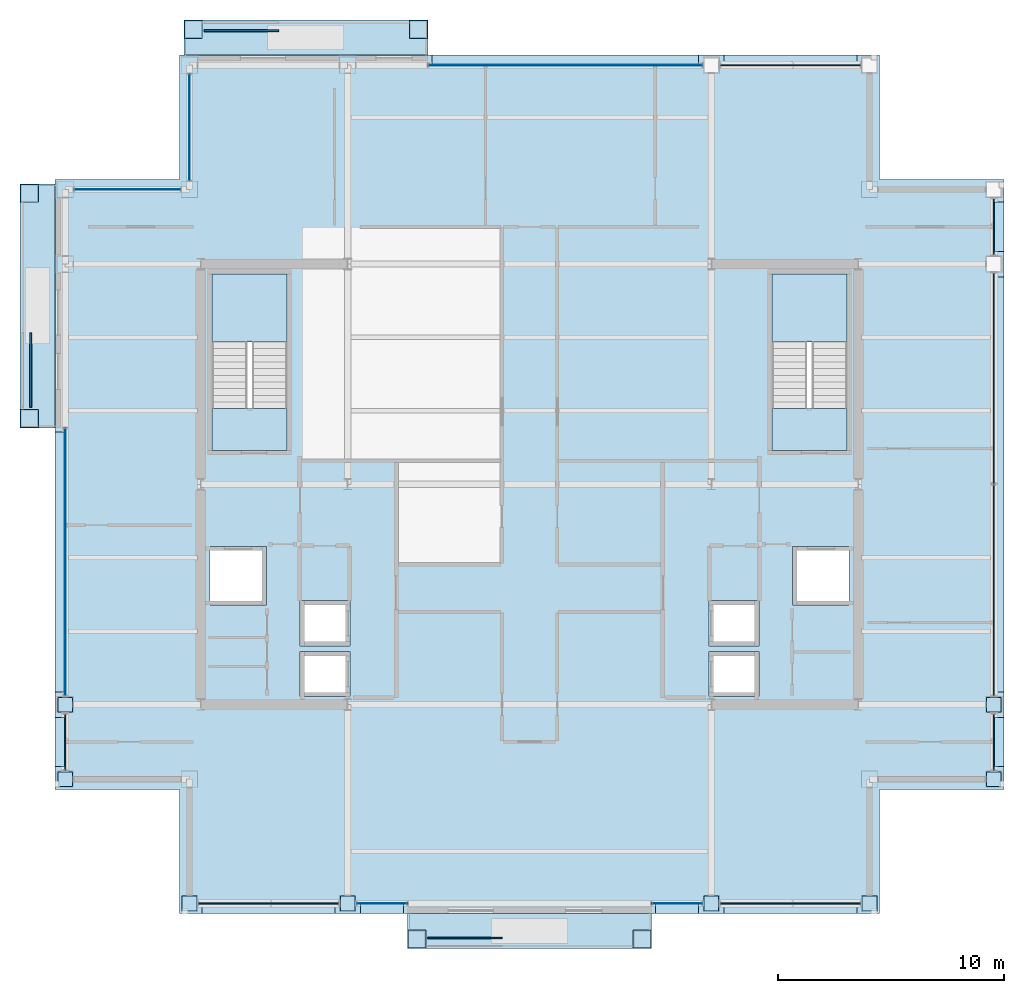
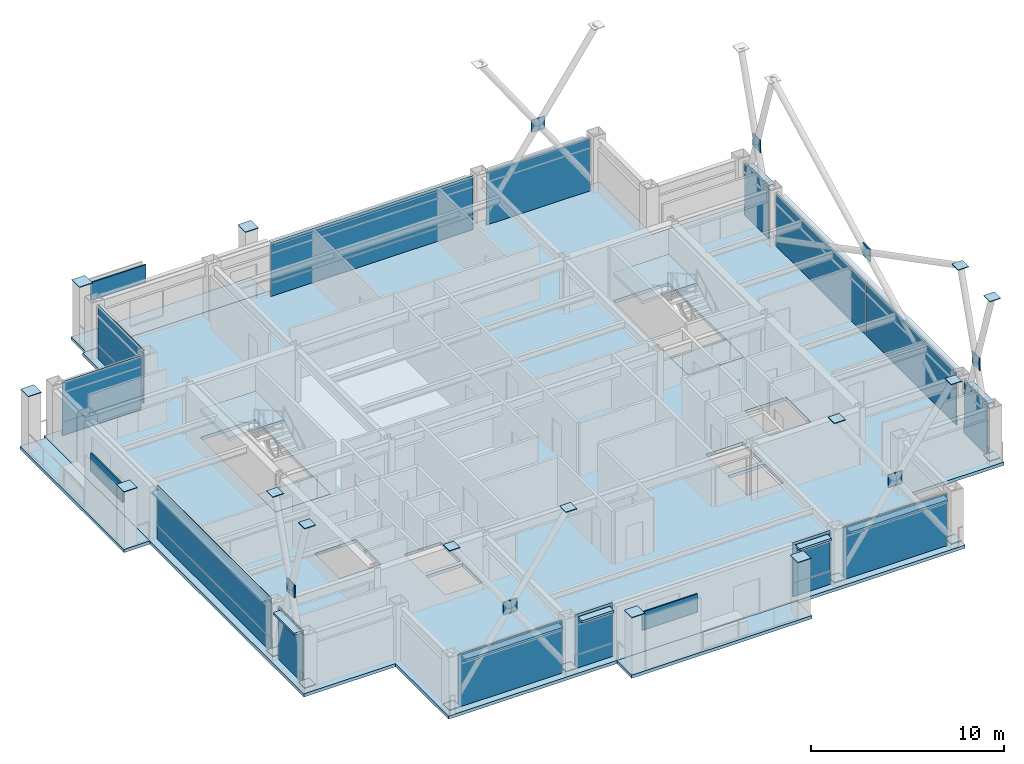
# One storey, part 24 of 30: 62 plates, 8 slabs, 15 elements without a shape of their own.
"""IFC4 building model written with IfcOpenShell, lengths in metres."""

from ifc_helpers import new_model, si_unit, direction, frame, origin, origin_2d, place, context, subcontext, project, spatial, polyline, rectangle, outline, extrude, material, layer, layer_set, type_object, element, aggregate, save


model = new_model("IFC4")

# Units and contexts
model_context = context("Model", 3, precision=1e-05, world=origin(), true_north=direction((0.0, 1.0)))
body_context = subcontext(model_context, "Body", "Model", "MODEL_VIEW")
ifc_project = project(units=[si_unit("LENGTHUNIT", "METRE"), si_unit("AREAUNIT", "SQUARE_METRE"), si_unit("VOLUMEUNIT", "CUBIC_METRE"), si_unit("PLANEANGLEUNIT", "RADIAN"), si_unit("MASSUNIT", "GRAM", prefix="KILO")], contexts=[model_context])

# Site, building, storey
site_placement = place(None, origin())
site = spatial("IfcSite", under=ifc_project, at=site_placement, CompositionType="ELEMENT")
building_placement = place(site_placement, origin())
building = spatial("IfcBuilding", under=site, at=building_placement, Name="Brelmoor Portico Tower", CompositionType="ELEMENT")
storey_placement = place(building_placement, frame((0.0, 0.0, 173.10009765625)))
storey = spatial("IfcBuildingStorey", under=building, at=storey_placement, Name="L45", CompositionType="ELEMENT", Elevation=173.10009765625)

# Plates
ifc_material_1 = material(Name="Steel Q355B", Category="steel")
ifc_layer_1 = layer(ifc_material_1, 0.044921875)
ifc_layer_set_1 = layer_set([ifc_layer_1], Name="Steel Q355B")
plate_type_1 = type_object("IfcPlateType", Name="PT-CAP-650", PredefinedType="SHEET", material=ifc_layer_set_1)
for number, where, z_axis, x_axis, name in (
    (1, (-4.97998046875, -20.1298828125, 3.599853515625), (0.0, 0.0, 1.0), (1.0, 0.0, 0.0), "L45 Proud Picture-Frame Pier PFJ-S1 Welded Head Cap Plate"),
    (2, (4.97998046875, -20.1298828125, 3.599853515625), (0.0, 0.0, 1.0), (1.0, 0.0, 0.0), "L45 Proud Picture-Frame Pier PFJ-S2 Welded Head Cap Plate"),
    (3, (-14.8798828125, 20.1298828125, 3.599853515625), (0.0, 0.0, 1.0), (1.0, 0.0, 0.0), "L45 Proud Picture-Frame Pier PFJ-N1 Welded Head Cap Plate"),
    (4, (-4.919921875, 20.1298828125, 3.599853515625), (0.0, 0.0, 1.0), (1.0, 0.0, 0.0), "L45 Proud Picture-Frame Pier PFJ-N2 Welded Head Cap Plate"),
    (5, (-22.1298828125, 2.919921875, 3.599853515625), (0.0, 0.0, 1.0), (0.0, 1.0, 0.0), "L45 Proud Picture-Frame Pier PFJ-W1 Welded Head Cap Plate"),
    (6, (-22.1298828125, 12.8798828125, 3.599853515625), (0.0, 0.0, 1.0), (0.0, 1.0, 0.0), "L45 Proud Picture-Frame Pier PFJ-W2 Welded Head Cap Plate"),
):
    element("IfcPlate", number, at=place(storey_placement, frame(where, z_axis=z_axis, x_axis=x_axis)), inside=storey, type_object=plate_type_1, Name=name, PredefinedType="SHEET", context=body_context, shape_type="SweptSolid", body=[
        extrude(rectangle(XDim=0.7900390625, YDim=0.7900390625, at=origin_2d()), origin(), (0.0, 0.0, 1.0), 0.0400390625),
    ])
for number, where, z_axis, x_axis, name in (
    (7, (-15.050048828125, -18.550048828125, 0.2275390625), (0.0, 0.0, 1.0), (1.0, 0.0, 0.0), "L45 Continuous Mega-X Brace 098A Joint Cap Plate 1"),
    (8, (-8.050048828125, -18.550048828125, 10.327392578125), (0.0, 0.0, 1.0), (1.0, 0.0, 0.0), "L45 Continuous Mega-X Brace 098A Joint Cap Plate 2"),
    (9, (-8.050048828125, -18.550048828125, 0.2275390625), (0.0, 0.0, 1.0), (1.0, 0.0, 0.0), "L45 Split Mega-X Brace 098B1 Joint Cap Plate 1"),
    (10, (-15.050048828125, -18.550048828125, 10.327392578125), (0.0, 0.0, 1.0), (1.0, 0.0, 0.0), "L45 Split Mega-X Brace 098B2 Joint Cap Plate 2"),
    (11, (8.050048828125, -18.550048828125, 0.2275390625), (0.0, 0.0, 1.0), (1.0, 0.0, 0.0), "L45 Continuous Mega-X Brace 099A Joint Cap Plate 1"),
    (12, (15.050048828125, -18.550048828125, 10.327392578125), (0.0, 0.0, 1.0), (1.0, 0.0, 0.0), "L45 Continuous Mega-X Brace 099A Joint Cap Plate 2"),
    (13, (15.050048828125, -18.550048828125, 0.2275390625), (0.0, 0.0, 1.0), (1.0, 0.0, 0.0), "L45 Split Mega-X Brace 099B1 Joint Cap Plate 1"),
    (14, (8.050048828125, -18.550048828125, 10.327392578125), (0.0, 0.0, 1.0), (1.0, 0.0, 0.0), "L45 Split Mega-X Brace 099B2 Joint Cap Plate 2"),
    (15, (-20.550048828125, -13.050048828125, 0.2275390625), (0.0, 0.0, 1.0), (1.0, 0.0, 0.0), "L45 Continuous Mega-X Brace 101A Joint Cap Plate 1"),
    (16, (-20.550048828125, -9.75, 10.327392578125), (0.0, 0.0, 1.0), (1.0, 0.0, 0.0), "L45 Continuous Mega-X Brace 101A Joint Cap Plate 2"),
    (17, (-20.550048828125, -9.75, 0.2275390625), (0.0, 0.0, 1.0), (1.0, 0.0, 0.0), "L45 Split Mega-X Brace 101B1 Joint Cap Plate 1"),
    (18, (-20.550048828125, -13.050048828125, 10.327392578125), (0.0, 0.0, 1.0), (1.0, 0.0, 0.0), "L45 Split Mega-X Brace 101B2 Joint Cap Plate 2"),
    (19, (20.550048828125, -13.050048828125, 0.2275390625), (0.0, 0.0, 1.0), (1.0, 0.0, 0.0), "L45 Continuous Mega-X Brace 102A Joint Cap Plate 1"),
    (20, (20.550048828125, -9.75, 10.327392578125), (0.0, 0.0, 1.0), (1.0, 0.0, 0.0), "L45 Continuous Mega-X Brace 102A Joint Cap Plate 2"),
    (21, (20.550048828125, -13.050048828125, 10.327392578125), (0.0, 0.0, 1.0), (1.0, 0.0, 0.0), "L45 Split Mega-X Brace 102B2 Joint Cap Plate 2"),
):
    element("IfcPlate", number, at=place(storey_placement, frame(where, z_axis=z_axis, x_axis=x_axis)), inside=storey, type_object=plate_type_1, Name=name, PredefinedType="SHEET", context=body_context, shape_type="SweptSolid", body=[
        extrude(rectangle(XDim=0.64990234375, YDim=0.64990234375, at=origin_2d()), origin(), (0.0, 0.0, 1.0), 0.044921875),
    ])

# Curtain wall, plate
ifc_material_2 = material(Name="Anodised Aluminium Alloy 6063-T6", Category="aluminium")
ifc_layer_2 = layer(ifc_material_2, 0.179931640625)
ifc_layer_set_2 = layer_set([ifc_layer_2], Name="Anodised Aluminium Alloy 6063-T6")
curtain_wall_type_1 = type_object("IfcCurtainWallType", Name="CW-TOWER-Z3", PredefinedType="NOTDEFINED", material=ifc_layer_set_2)
curtain_wall_1_placement = place(storey_placement, origin())
curtain_wall_1 = element("IfcCurtainWall", 22, at=curtain_wall_1_placement, inside=storey, type_object=curtain_wall_type_1, Name="L45 Curtain Wall CW-L45-1L-2", PredefinedType="NOTDEFINED")
ifc_material_3 = material(Name="Double-Silver Low-E Insulated Glazing", Category="glass")
ifc_layer_3 = layer(ifc_material_3, 0.035888671875)
ifc_layer_set_3 = layer_set([ifc_layer_3], Name="Double-Silver Low-E Insulated Glazing")
plate_type_2 = type_object("IfcPlateType", Name="PT-CW-GLASS", PredefinedType="CURTAIN_PANEL", material=ifc_layer_set_3)
plate_1_placement = place(storey_placement, frame((-6.532470703125, -18.550048828125, 0.85009765625), z_axis=(0.0, 0.0, 1.0), x_axis=(1.0, 0.0, 0.0)))
plate_1 = element("IfcPlate", 23, at=plate_1_placement, type_object=plate_type_2, Name="CW-L45-1L-2 Vision Glass Panel 00", PredefinedType="CURTAIN_PANEL", context=body_context, shape_type="SweptSolid", body=[
    extrude(rectangle(XDim=2.235107421875, YDim=0.035888671875, at=origin_2d()), origin(), (0.0, 0.0, 1.0), 2.550048828125),
])

curtain_wall_2_placement = place(storey_placement, origin())
curtain_wall_2 = element("IfcCurtainWall", 24, at=curtain_wall_2_placement, inside=storey, type_object=curtain_wall_type_1, Name="L45 Curtain Wall CW-L45-1R-1", PredefinedType="NOTDEFINED")
plate_2_placement = place(storey_placement, frame((6.532470703125, -18.550048828125, 0.85009765625), z_axis=(0.0, 0.0, 1.0), x_axis=(1.0, 0.0, 0.0)))
plate_2 = element("IfcPlate", 25, at=plate_2_placement, type_object=plate_type_2, Name="CW-L45-1R-1 Vision Glass Panel 00", PredefinedType="CURTAIN_PANEL", context=body_context, shape_type="SweptSolid", body=[
    extrude(rectangle(XDim=2.235107421875, YDim=0.035888671875, at=origin_2d()), origin(), (0.0, 0.0, 1.0), 2.550048828125),
])

curtain_wall_3_placement = place(storey_placement, origin())
curtain_wall_3 = element("IfcCurtainWall", 26, at=curtain_wall_3_placement, inside=storey, type_object=curtain_wall_type_1, Name="L45 Curtain Wall CW-L45-2R-1", PredefinedType="NOTDEFINED")
plate_3_placement = place(storey_placement, frame((1.58251953125, 18.550048828125, 0.85009765625), z_axis=(0.0, 0.0, 1.0), x_axis=(1.0, 0.0, 0.0)))
plate_3 = element("IfcPlate", 27, at=plate_3_placement, type_object=plate_type_2, Name="CW-L45-2R-1 Vision Glass Panel 00", PredefinedType="CURTAIN_PANEL", context=body_context, shape_type="SweptSolid", body=[
    extrude(rectangle(XDim=12.135009765625, YDim=0.035888671875, at=origin_2d()), origin(), (0.0, 0.0, 1.0), 2.550048828125),
])

curtain_wall_4_placement = place(storey_placement, origin())
curtain_wall_4 = element("IfcCurtainWall", 28, at=curtain_wall_4_placement, inside=storey, type_object=curtain_wall_type_1, Name="L45 Curtain Wall CW-L45-3L-2", PredefinedType="NOTDEFINED")
plate_4_placement = place(storey_placement, frame((-20.550048828125, -3.4326171875, 0.85009765625), z_axis=(0.0, 0.0, 1.0), x_axis=(0.0, 1.0, 0.0)))
plate_4 = element("IfcPlate", 29, at=plate_4_placement, type_object=plate_type_2, Name="CW-L45-3L-2 Vision Glass Panel 00", PredefinedType="CURTAIN_PANEL", context=body_context, shape_type="SweptSolid", body=[
    extrude(rectangle(XDim=11.8349609375, YDim=0.035888671875, at=origin_2d()), origin(), (0.0, 0.0, 1.0), 2.550048828125),
])

ifc_layer_4 = layer(ifc_material_2, 0.179931640625)
ifc_layer_set_4 = layer_set([ifc_layer_4], Name="Anodised Aluminium Alloy 6063-T6")
curtain_wall_type_2 = type_object("IfcCurtainWallType", Name="CW-NOTCH-CHAMFER", PredefinedType="NOTDEFINED", material=ifc_layer_set_4)
curtain_wall_5_placement = place(storey_placement, origin())
curtain_wall_5 = element("IfcCurtainWall", 30, at=curtain_wall_5_placement, inside=storey, type_object=curtain_wall_type_2, Name="L45 Curtain Wall CWN-L45-NWH", PredefinedType="NOTDEFINED")
plate_5_placement = place(storey_placement, frame((-17.800048828125, 13.050048828125, 0.85009765625), z_axis=(0.0, 0.0, 1.0), x_axis=(1.0, 0.0, 0.0)))
plate_5 = element("IfcPlate", 31, at=plate_5_placement, type_object=plate_type_2, Name="CWN-L45-NWH Vision Glass Panel 00", PredefinedType="CURTAIN_PANEL", context=body_context, shape_type="SweptSolid", body=[
    extrude(rectangle(XDim=4.699951171875, YDim=0.035888671875, at=origin_2d()), origin(), (0.0, 0.0, 1.0), 2.550048828125),
])

curtain_wall_6_placement = place(storey_placement, origin())
curtain_wall_6 = element("IfcCurtainWall", 32, at=curtain_wall_6_placement, inside=storey, type_object=curtain_wall_type_2, Name="L45 Curtain Wall CWN-L45-NWV", PredefinedType="NOTDEFINED")
plate_6_placement = place(storey_placement, frame((-15.050048828125, 15.800048828125, 0.85009765625), z_axis=(0.0, 0.0, 1.0), x_axis=(0.0, 1.0, 0.0)))
plate_6 = element("IfcPlate", 33, at=plate_6_placement, type_object=plate_type_2, Name="CWN-L45-NWV Vision Glass Panel 00", PredefinedType="CURTAIN_PANEL", context=body_context, shape_type="SweptSolid", body=[
    extrude(rectangle(XDim=4.699951171875, YDim=0.035888671875, at=origin_2d()), origin(), (0.0, 0.0, 1.0), 2.550048828125),
])

ifc_layer_5 = layer(ifc_material_2, 0.179931640625)
ifc_layer_set_5 = layer_set([ifc_layer_5], Name="Anodised Aluminium Alloy 6063-T6")
curtain_wall_type_3 = type_object("IfcCurtainWallType", Name="CW-TOWER-Z3-XB", PredefinedType="NOTDEFINED", material=ifc_layer_set_5)
curtain_wall_7_placement = place(storey_placement, origin())
curtain_wall_7 = element("IfcCurtainWall", 34, at=curtain_wall_7_placement, inside=storey, type_object=curtain_wall_type_3, Name="L45 Curtain Wall CW-L45-1L-1", PredefinedType="NOTDEFINED")
ifc_material_4 = material(Name="Pale Champagne Anodised Aluminium Panel", Category="aluminium")
ifc_layer_6 = layer(ifc_material_4, 0.050048828125)
ifc_layer_set_6 = layer_set([ifc_layer_6], Name="Pale Champagne Anodised Aluminium Panel")
plate_type_3 = type_object("IfcPlateType", Name="PT-CW-SPANDREL", PredefinedType="SHEET", material=ifc_layer_set_6)
plate_7_placement = place(storey_placement, frame((-11.550048828125, -18.550048828125, 0.0), z_axis=(0.0, 0.0, 1.0), x_axis=(1.0, 0.0, 0.0)))
plate_7 = element("IfcPlate", 35, at=plate_7_placement, type_object=plate_type_3, Name="CW-L45-1L-1 Spandrel Panel 00", PredefinedType="SHEET", context=body_context, shape_type="SweptSolid", body=[
    extrude(rectangle(XDim=6.199951171875, YDim=0.050048828125, at=origin_2d()), origin(), (0.0, 0.0, 1.0), 3.33740234375),
])
aggregate(curtain_wall_7, [plate_7])

# Plate
plate_8_placement = place(storey_placement, frame((-6.532470703125, -18.550048828125, -0.000244140625), z_axis=(0.0, 0.0, 1.0), x_axis=(1.0, 0.0, 0.0)))
plate_8 = element("IfcPlate", 36, at=plate_8_placement, type_object=plate_type_3, Name="CW-L45-1L-2 Spandrel Panel 00", PredefinedType="SHEET", context=body_context, shape_type="SweptSolid", body=[
    extrude(rectangle(XDim=2.235107421875, YDim=0.050048828125, at=origin_2d()), origin(), (0.0, 0.0, 1.0), 0.85009765625),
])

aggregate(curtain_wall_1, [plate_8, plate_1])

plate_9_placement = place(storey_placement, frame((6.532470703125, -18.550048828125, -0.000244140625), z_axis=(0.0, 0.0, 1.0), x_axis=(1.0, 0.0, 0.0)))
plate_9 = element("IfcPlate", 37, at=plate_9_placement, type_object=plate_type_3, Name="CW-L45-1R-1 Spandrel Panel 00", PredefinedType="SHEET", context=body_context, shape_type="SweptSolid", body=[
    extrude(rectangle(XDim=2.235107421875, YDim=0.050048828125, at=origin_2d()), origin(), (0.0, 0.0, 1.0), 0.85009765625),
])

aggregate(curtain_wall_2, [plate_9, plate_2])

# Curtain wall, plate
curtain_wall_8_placement = place(storey_placement, origin())
curtain_wall_8 = element("IfcCurtainWall", 38, at=curtain_wall_8_placement, inside=storey, type_object=curtain_wall_type_3, Name="L45 Curtain Wall CW-L45-1R-2", PredefinedType="NOTDEFINED")
plate_10_placement = place(storey_placement, frame((11.550048828125, -18.550048828125, 0.0), z_axis=(0.0, 0.0, 1.0), x_axis=(1.0, 0.0, 0.0)))
plate_10 = element("IfcPlate", 39, at=plate_10_placement, type_object=plate_type_3, Name="CW-L45-1R-2 Spandrel Panel 00", PredefinedType="SHEET", context=body_context, shape_type="SweptSolid", body=[
    extrude(rectangle(XDim=6.199951171875, YDim=0.050048828125, at=origin_2d()), origin(), (0.0, 0.0, 1.0), 3.33740234375),
])
aggregate(curtain_wall_8, [plate_10])

# Plate
plate_11_placement = place(storey_placement, frame((1.58251953125, 18.550048828125, -0.000244140625), z_axis=(0.0, 0.0, 1.0), x_axis=(1.0, 0.0, 0.0)))
plate_11 = element("IfcPlate", 40, at=plate_11_placement, type_object=plate_type_3, Name="CW-L45-2R-1 Spandrel Panel 00", PredefinedType="SHEET", context=body_context, shape_type="SweptSolid", body=[
    extrude(rectangle(XDim=12.135009765625, YDim=0.050048828125, at=origin_2d()), origin(), (0.0, 0.0, 1.0), 0.85009765625),
])

aggregate(curtain_wall_3, [plate_11, plate_3])

# Curtain wall, plate
curtain_wall_9_placement = place(storey_placement, origin())
curtain_wall_9 = element("IfcCurtainWall", 41, at=curtain_wall_9_placement, inside=storey, type_object=curtain_wall_type_3, Name="L45 Curtain Wall CW-L45-2R-2", PredefinedType="NOTDEFINED")
plate_12_placement = place(storey_placement, frame((11.550048828125, 18.550048828125, 0.0), z_axis=(0.0, 0.0, 1.0), x_axis=(1.0, 0.0, 0.0)))
plate_12 = element("IfcPlate", 42, at=plate_12_placement, type_object=plate_type_3, Name="CW-L45-2R-2 Spandrel Panel 00", PredefinedType="SHEET", context=body_context, shape_type="SweptSolid", body=[
    extrude(rectangle(XDim=6.199951171875, YDim=0.050048828125, at=origin_2d()), origin(), (0.0, 0.0, 1.0), 3.33740234375),
])
aggregate(curtain_wall_9, [plate_12])

curtain_wall_10_placement = place(storey_placement, origin())
curtain_wall_10 = element("IfcCurtainWall", 43, at=curtain_wall_10_placement, inside=storey, type_object=curtain_wall_type_3, Name="L45 Curtain Wall CW-L45-3L-1", PredefinedType="NOTDEFINED")
plate_13_placement = place(storey_placement, frame((-20.550048828125, -11.39990234375, 0.0), z_axis=(0.0, 0.0, 1.0), x_axis=(0.0, 1.0, 0.0)))
plate_13 = element("IfcPlate", 44, at=plate_13_placement, type_object=plate_type_3, Name="CW-L45-3L-1 Spandrel Panel 00", PredefinedType="SHEET", context=body_context, shape_type="SweptSolid", body=[
    extrude(rectangle(XDim=2.5, YDim=0.050048828125, at=origin_2d()), origin(), (0.0, 0.0, 1.0), 3.33740234375),
])
aggregate(curtain_wall_10, [plate_13])

# Plate
plate_14_placement = place(storey_placement, frame((-20.550048828125, -3.4326171875, -0.000244140625), z_axis=(0.0, 0.0, 1.0), x_axis=(0.0, 1.0, 0.0)))
plate_14 = element("IfcPlate", 45, at=plate_14_placement, type_object=plate_type_3, Name="CW-L45-3L-2 Spandrel Panel 00", PredefinedType="SHEET", context=body_context, shape_type="SweptSolid", body=[
    extrude(rectangle(XDim=11.8349609375, YDim=0.050048828125, at=origin_2d()), origin(), (0.0, 0.0, 1.0), 0.85009765625),
])

aggregate(curtain_wall_4, [plate_14, plate_4])

# Curtain wall, plate
curtain_wall_11_placement = place(storey_placement, origin())
curtain_wall_11 = element("IfcCurtainWall", 46, at=curtain_wall_11_placement, inside=storey, type_object=curtain_wall_type_3, Name="L45 Curtain Wall CW-L45-04-1", PredefinedType="NOTDEFINED")
plate_15_placement = place(storey_placement, frame((20.550048828125, -11.39990234375, 0.0), z_axis=(0.0, 0.0, 1.0), x_axis=(0.0, 1.0, 0.0)))
plate_15 = element("IfcPlate", 47, at=plate_15_placement, type_object=plate_type_3, Name="CW-L45-04-1 Spandrel Panel 00", PredefinedType="SHEET", context=body_context, shape_type="SweptSolid", body=[
    extrude(rectangle(XDim=2.5, YDim=0.050048828125, at=origin_2d()), origin(), (0.0, 0.0, 1.0), 3.33740234375),
])
aggregate(curtain_wall_11, [plate_15])

# Curtain wall, plates
curtain_wall_12_placement = place(storey_placement, origin())
curtain_wall_12 = element("IfcCurtainWall", 48, at=curtain_wall_12_placement, inside=storey, type_object=curtain_wall_type_3, Name="L45 Curtain Wall CW-L45-04-2", PredefinedType="NOTDEFINED")
plate_16_placement = place(storey_placement, frame((20.550048828125, -4.6826171875, 0.0), z_axis=(0.0, 0.0, 1.0), x_axis=(0.0, 1.0, 0.0)))
plate_16 = element("IfcPlate", 49, at=plate_16_placement, type_object=plate_type_3, Name="CW-L45-04-2 Spandrel Panel 00", PredefinedType="SHEET", context=body_context, shape_type="SweptSolid", body=[
    extrude(rectangle(XDim=9.3349609375, YDim=0.050048828125, at=origin_2d()), origin(), (0.0, 0.0, 1.0), 3.33740234375),
])
plate_17_placement = place(storey_placement, frame((20.550048828125, 4.6826171875, 0.0), z_axis=(0.0, 0.0, 1.0), x_axis=(0.0, 1.0, 0.0)))
plate_17 = element("IfcPlate", 50, at=plate_17_placement, type_object=plate_type_3, Name="CW-L45-04-2 Spandrel Panel 01", PredefinedType="SHEET", context=body_context, shape_type="SweptSolid", body=[
    extrude(rectangle(XDim=9.3349609375, YDim=0.050048828125, at=origin_2d()), origin(), (0.0, 0.0, 1.0), 3.33740234375),
])
aggregate(curtain_wall_12, [plate_16, plate_17])

# Curtain wall, plate
curtain_wall_13_placement = place(storey_placement, origin())
curtain_wall_13 = element("IfcCurtainWall", 51, at=curtain_wall_13_placement, inside=storey, type_object=curtain_wall_type_3, Name="L45 Curtain Wall CW-L45-04-3", PredefinedType="NOTDEFINED")
plate_18_placement = place(storey_placement, frame((20.550048828125, 11.39990234375, 0.0), z_axis=(0.0, 0.0, 1.0), x_axis=(0.0, 1.0, 0.0)))
plate_18 = element("IfcPlate", 52, at=plate_18_placement, type_object=plate_type_3, Name="CW-L45-04-3 Spandrel Panel 00", PredefinedType="SHEET", context=body_context, shape_type="SweptSolid", body=[
    extrude(rectangle(XDim=2.5, YDim=0.050048828125, at=origin_2d()), origin(), (0.0, 0.0, 1.0), 3.33740234375),
])
aggregate(curtain_wall_13, [plate_18])

# Plate
plate_19_placement = place(storey_placement, frame((-17.800048828125, 13.050048828125, -0.000244140625), z_axis=(0.0, 0.0, 1.0), x_axis=(1.0, 0.0, 0.0)))
plate_19 = element("IfcPlate", 53, at=plate_19_placement, type_object=plate_type_3, Name="CWN-L45-NWH Spandrel Panel 00", PredefinedType="SHEET", context=body_context, shape_type="SweptSolid", body=[
    extrude(rectangle(XDim=4.699951171875, YDim=0.050048828125, at=origin_2d()), origin(), (0.0, 0.0, 1.0), 0.85009765625),
])

aggregate(curtain_wall_5, [plate_19, plate_5])

plate_20_placement = place(storey_placement, frame((-15.050048828125, 15.800048828125, -0.000244140625), z_axis=(0.0, 0.0, 1.0), x_axis=(0.0, 1.0, 0.0)))
plate_20 = element("IfcPlate", 54, at=plate_20_placement, type_object=plate_type_3, Name="CWN-L45-NWV Spandrel Panel 00", PredefinedType="SHEET", context=body_context, shape_type="SweptSolid", body=[
    extrude(rectangle(XDim=4.699951171875, YDim=0.050048828125, at=origin_2d()), origin(), (0.0, 0.0, 1.0), 0.85009765625),
])

aggregate(curtain_wall_6, [plate_20, plate_6])

# Plates
ifc_layer_7 = layer(ifc_material_1, 0.050048828125)
ifc_layer_set_7 = layer_set([ifc_layer_7], Name="Steel Q355B")
plate_type_4 = type_object("IfcPlateType", Name="PT-GUSSET-800", PredefinedType="USERDEFINED", material=ifc_layer_set_7)
for number, where, z_axis, x_axis, name in (
    (55, (-11.550048828125, -18.550048828125, 4.89990234375), (0.0, 0.0, 1.0), (1.0, 0.0, 0.0), "L45 Perimeter Mega-Brace Gusset 098"),
    (56, (11.550048828125, -18.550048828125, 4.89990234375), (0.0, 0.0, 1.0), (1.0, 0.0, 0.0), "L45 Perimeter Mega-Brace Gusset 099"),
    (57, (11.550048828125, 18.550048828125, 4.89990234375), (0.0, 0.0, 1.0), (1.0, 0.0, 0.0), "L45 Perimeter Mega-Brace Gusset 100"),
):
    element("IfcPlate", number, at=place(storey_placement, frame(where, z_axis=z_axis, x_axis=x_axis)), inside=storey, type_object=plate_type_4, Name=name, ObjectType="GUSSET PLATE", PredefinedType="USERDEFINED", context=body_context, shape_type="SweptSolid", body=[
        extrude(rectangle(XDim=0.800048828125, YDim=0.050048828125, at=origin_2d()), origin(), (0.0, 0.0, 1.0), 0.800048828125),
    ])
for number, where, z_axis, x_axis, name in (
    (58, (-20.550048828125, -11.39990234375, 4.89990234375), (0.0, 0.0, 1.0), (1.0, 0.0, 0.0), "L45 Perimeter Mega-Brace Gusset 101"),
    (59, (20.550048828125, -11.39990234375, 4.89990234375), (0.0, 0.0, 1.0), (1.0, 0.0, 0.0), "L45 Perimeter Mega-Brace Gusset 102"),
    (60, (20.550048828125, 0.0, 4.89990234375), (0.0, 0.0, 1.0), (1.0, 0.0, 0.0), "L45 Perimeter Mega-Brace Gusset 103"),
    (61, (20.550048828125, 11.39990234375, 4.89990234375), (0.0, 0.0, 1.0), (1.0, 0.0, 0.0), "L45 Perimeter Mega-Brace Gusset 104"),
):
    element("IfcPlate", number, at=place(storey_placement, frame(where, z_axis=z_axis, x_axis=x_axis)), inside=storey, type_object=plate_type_4, Name=name, ObjectType="GUSSET PLATE", PredefinedType="USERDEFINED", context=body_context, shape_type="SweptSolid", body=[
        extrude(rectangle(XDim=0.050048828125, YDim=0.800048828125, at=origin_2d()), origin(), (0.0, 0.0, 1.0), 0.800048828125),
    ])
ifc_material_5 = material(Name="Powder-Coated Aluminium Shuttered Jalousie Louvre", Category="aluminium")
ifc_layer_8 = layer(ifc_material_5, 0.06005859375)
ifc_layer_set_8 = layer_set([ifc_layer_8], Name="Powder-Coated Aluminium Shuttered Jalousie Louvre")
plate_type_5 = type_object("IfcPlateType", Name="PT-JALOUSIE-SHUTTER", PredefinedType="SHEET", material=ifc_layer_set_8)
for number, where, z_axis, x_axis, name in (
    (62, (-2.85009765625, -20.080078125, 2.27490234375), (0.0, 0.0, 1.0), (1.0, 0.0, 0.0), "L45 Shuttered Veranda Screen S"),
    (63, (-12.75, 20.080078125, 2.27490234375), (0.0, 0.0, 1.0), (1.0, 0.0, 0.0), "L45 Shuttered Veranda Screen N"),
    (64, (-22.080078125, 5.050048828125, 2.27490234375), (0.0, 0.0, 1.0), (0.0, 1.0, 0.0), "L45 Shuttered Veranda Screen W"),
):
    element("IfcPlate", number, at=place(storey_placement, frame(where, z_axis=z_axis, x_axis=x_axis)), inside=storey, type_object=plate_type_5, Name=name, PredefinedType="SHEET", context=body_context, shape_type="SweptSolid", body=[
        extrude(rectangle(XDim=3.300048828125, YDim=0.080078125, at=origin_2d()), origin(), (0.0, 0.0, 1.0), 1.14990234375),
    ])
ifc_material_6 = material(Name="Pale Champagne Perforated Aluminium Solar Screen", Category="aluminium")
ifc_layer_9 = layer(ifc_material_6, 0.054931640625)
ifc_layer_set_9 = layer_set([ifc_layer_9], Name="Pale Champagne Perforated Aluminium Solar Screen")
plate_type_6 = type_object("IfcPlateType", Name="PT-SOLAR-LOUVRE", PredefinedType="SHEET", material=ifc_layer_set_9)
plate_21_placement = place(storey_placement, frame((-11.550048828125, -18.760009765625, 3.08984375), z_axis=(0.0, 0.0, 1.0), x_axis=(1.0, 0.0, 0.0)))
element("IfcPlate", 65, at=plate_21_placement, inside=storey, type_object=plate_type_6, Name="CW-L45-1L-1 Caribbean Brise-Soleil Solar Screen", PredefinedType="SHEET", context=body_context, shape_type="SweptSolid", body=[
    extrude(rectangle(XDim=5.8701171875, YDim=0.4599609375, at=origin_2d()), origin(), (0.0, 0.0, 1.0), 0.139892578125),
])
for number, where, z_axis, x_axis, name in (
    (66, (-6.532470703125, -18.760009765625, 3.08984375), (0.0, 0.0, 1.0), (1.0, 0.0, 0.0), "CW-L45-1L-2 Caribbean Brise-Soleil Solar Screen"),
    (67, (6.532470703125, -18.760009765625, 3.08984375), (0.0, 0.0, 1.0), (1.0, 0.0, 0.0), "CW-L45-1R-1 Caribbean Brise-Soleil Solar Screen"),
):
    element("IfcPlate", number, at=place(storey_placement, frame(where, z_axis=z_axis, x_axis=x_axis)), inside=storey, type_object=plate_type_6, Name=name, PredefinedType="SHEET", context=body_context, shape_type="SweptSolid", body=[
        extrude(rectangle(XDim=1.905029296875, YDim=0.4599609375, at=origin_2d()), origin(), (0.0, 0.0, 1.0), 0.139892578125),
    ])
plate_22_placement = place(storey_placement, frame((11.550048828125, -18.760009765625, 3.08984375), z_axis=(0.0, 0.0, 1.0), x_axis=(1.0, 0.0, 0.0)))
element("IfcPlate", 68, at=plate_22_placement, inside=storey, type_object=plate_type_6, Name="CW-L45-1R-2 Caribbean Brise-Soleil Solar Screen", PredefinedType="SHEET", context=body_context, shape_type="SweptSolid", body=[
    extrude(rectangle(XDim=5.8701171875, YDim=0.4599609375, at=origin_2d()), origin(), (0.0, 0.0, 1.0), 0.139892578125),
])
plate_23_placement = place(storey_placement, frame((1.58251953125, 18.760009765625, 3.08984375), z_axis=(0.0, 0.0, 1.0), x_axis=(1.0, 0.0, 0.0)))
element("IfcPlate", 69, at=plate_23_placement, inside=storey, type_object=plate_type_6, Name="CW-L45-2R-1 Caribbean Brise-Soleil Solar Screen", PredefinedType="SHEET", context=body_context, shape_type="SweptSolid", body=[
    extrude(rectangle(XDim=11.804931640625, YDim=0.4599609375, at=origin_2d()), origin(), (0.0, 0.0, 1.0), 0.139892578125),
])
plate_24_placement = place(storey_placement, frame((11.550048828125, 18.760009765625, 3.08984375), z_axis=(0.0, 0.0, 1.0), x_axis=(1.0, 0.0, 0.0)))
element("IfcPlate", 70, at=plate_24_placement, inside=storey, type_object=plate_type_6, Name="CW-L45-2R-2 Caribbean Brise-Soleil Solar Screen", PredefinedType="SHEET", context=body_context, shape_type="SweptSolid", body=[
    extrude(rectangle(XDim=5.8701171875, YDim=0.4599609375, at=origin_2d()), origin(), (0.0, 0.0, 1.0), 0.139892578125),
])
plate_25_placement = place(storey_placement, frame((-20.760009765625, -11.39990234375, 3.08984375), z_axis=(0.0, 0.0, 1.0), x_axis=(0.0, 1.0, 0.0)))
element("IfcPlate", 71, at=plate_25_placement, inside=storey, type_object=plate_type_6, Name="CW-L45-3L-1 Caribbean Brise-Soleil Solar Screen", PredefinedType="SHEET", context=body_context, shape_type="SweptSolid", body=[
    extrude(rectangle(XDim=2.169921875, YDim=0.4599609375, at=origin_2d()), origin(), (0.0, 0.0, 1.0), 0.139892578125),
])
plate_26_placement = place(storey_placement, frame((-20.760009765625, -3.4326171875, 3.08984375), z_axis=(0.0, 0.0, 1.0), x_axis=(0.0, 1.0, 0.0)))
element("IfcPlate", 72, at=plate_26_placement, inside=storey, type_object=plate_type_6, Name="CW-L45-3L-2 Caribbean Brise-Soleil Solar Screen", PredefinedType="SHEET", context=body_context, shape_type="SweptSolid", body=[
    extrude(rectangle(XDim=11.5048828125, YDim=0.4599609375, at=origin_2d()), origin(), (0.0, 0.0, 1.0), 0.139892578125),
])
plate_27_placement = place(storey_placement, frame((20.760009765625, -11.39990234375, 3.08984375), z_axis=(0.0, 0.0, 1.0), x_axis=(0.0, 1.0, 0.0)))
element("IfcPlate", 73, at=plate_27_placement, inside=storey, type_object=plate_type_6, Name="CW-L45-04-1 Caribbean Brise-Soleil Solar Screen", PredefinedType="SHEET", context=body_context, shape_type="SweptSolid", body=[
    extrude(rectangle(XDim=2.169921875, YDim=0.4599609375, at=origin_2d()), origin(), (0.0, 0.0, 1.0), 0.139892578125),
])
plate_28_placement = place(storey_placement, frame((20.760009765625, 0.0, 3.08984375), z_axis=(0.0, 0.0, 1.0), x_axis=(0.0, 1.0, 0.0)))
element("IfcPlate", 74, at=plate_28_placement, inside=storey, type_object=plate_type_6, Name="CW-L45-04-2 Caribbean Brise-Soleil Solar Screen", PredefinedType="SHEET", context=body_context, shape_type="SweptSolid", body=[
    extrude(rectangle(XDim=18.3701171875, YDim=0.4599609375, at=origin_2d()), origin(), (0.0, 0.0, 1.0), 0.139892578125),
])
plate_29_placement = place(storey_placement, frame((20.760009765625, 11.39990234375, 3.08984375), z_axis=(0.0, 0.0, 1.0), x_axis=(0.0, 1.0, 0.0)))
element("IfcPlate", 75, at=plate_29_placement, inside=storey, type_object=plate_type_6, Name="CW-L45-04-3 Caribbean Brise-Soleil Solar Screen", PredefinedType="SHEET", context=body_context, shape_type="SweptSolid", body=[
    extrude(rectangle(XDim=2.169921875, YDim=0.4599609375, at=origin_2d()), origin(), (0.0, 0.0, 1.0), 0.139892578125),
])

# Slabs
ifc_material_7 = material(Name="Concrete C40", Category="concrete")
ifc_layer_10 = layer(ifc_material_7, 0.199951171875)
ifc_layer_set_10 = layer_set([ifc_layer_10], Name="Concrete C40")
slab_type_1 = type_object("IfcSlabType", Name="SL-BALCONY-200", PredefinedType="FLOOR", material=ifc_layer_set_10)
slab_1_placement = place(storey_placement, frame((0.0, 0.0, -0.2001953125)))
element("IfcSlab", 76, at=slab_1_placement, inside=storey, type_object=slab_type_1, Name="L45 Loggia Tree Balcony Slab S", PredefinedType="FLOOR", context=body_context, shape_type="SweptSolid", body=[
    extrude(outline(polyline([(-5.39990234375, -20.550048828125), (5.39990234375, -20.550048828125), (5.39990234375, -19.0), (-5.39990234375, -19.0), (-5.39990234375, -20.550048828125)])), origin(), (0.0, 0.0, 1.0), 0.2001953125),
])
slab_2_placement = place(storey_placement, frame((0.0, 0.0, -0.2001953125)))
element("IfcSlab", 77, at=slab_2_placement, inside=storey, type_object=slab_type_1, Name="L45 Loggia Tree Balcony Slab N", PredefinedType="FLOOR", context=body_context, shape_type="SweptSolid", body=[
    extrude(outline(polyline([(-15.300048828125, 19.0), (-4.5, 19.0), (-4.5, 20.550048828125), (-15.300048828125, 20.550048828125), (-15.300048828125, 19.0)])), origin(), (0.0, 0.0, 1.0), 0.2001953125),
])
slab_3_placement = place(storey_placement, frame((0.0, 0.0, -0.2001953125)))
element("IfcSlab", 78, at=slab_3_placement, inside=storey, type_object=slab_type_1, Name="L45 Loggia Tree Balcony Slab W", PredefinedType="FLOOR", context=body_context, shape_type="SweptSolid", body=[
    extrude(outline(polyline([(-22.550048828125, 2.5), (-21.0, 2.5), (-21.0, 13.300048828125), (-22.550048828125, 13.300048828125), (-22.550048828125, 2.5)])), origin(), (0.0, 0.0, 1.0), 0.2001953125),
])
ifc_layer_11 = layer(ifc_material_7, 0.199951171875)
ifc_layer_set_11 = layer_set([ifc_layer_11], Name="Concrete C40")
slab_type_2 = type_object("IfcSlabType", Name="SL-FLOOR-200", PredefinedType="FLOOR", material=ifc_layer_set_11)
slab_4_placement = place(storey_placement, frame((0.0, 0.0, -0.2001953125)))
element("IfcSlab", 79, at=slab_4_placement, inside=storey, type_object=slab_type_2, Name="L45 Main Structural Floor Slab", PredefinedType="FLOOR", context=body_context, shape_type="SweptSolid", body=[
    extrude(outline(polyline([(-15.5, -19.0), (15.5, -19.0), (15.5, -13.5), (21.0, -13.5), (21.0, 13.5), (15.5, 13.5), (15.5, 19.0), (-15.5, 19.0), (-15.5, 13.5), (-21.0, 13.5), (-21.0, -13.5), (-15.5, -13.5), (-15.5, -19.0)]), holes=[polyline([(-10.72998046875, 1.5), (-10.72998046875, 9.300048828125), (-14.050048828125, 9.300048828125), (-14.050048828125, 1.5), (-10.72998046875, 1.5)]), polyline([(14.050048828125, 1.5), (14.050048828125, 9.300048828125), (10.72998046875, 9.300048828125), (10.72998046875, 1.5), (14.050048828125, 1.5)]), polyline([(-10.14990234375, -9.39990234375), (-7.949951171875, -9.39990234375), (-7.949951171875, -7.39990234375), (-10.14990234375, -7.39990234375), (-10.14990234375, -9.39990234375)]), polyline([(-10.14990234375, -7.14990234375), (-7.949951171875, -7.14990234375), (-7.949951171875, -5.14990234375), (-10.14990234375, -5.14990234375), (-10.14990234375, -7.14990234375)]), polyline([(7.949951171875, -9.39990234375), (10.14990234375, -9.39990234375), (10.14990234375, -7.39990234375), (7.949951171875, -7.39990234375), (7.949951171875, -9.39990234375)]), polyline([(7.949951171875, -7.14990234375), (10.14990234375, -7.14990234375), (10.14990234375, -5.14990234375), (7.949951171875, -5.14990234375), (7.949951171875, -7.14990234375)]), polyline([(-14.14990234375, -5.35009765625), (-11.64990234375, -5.35009765625), (-11.64990234375, -2.75), (-14.14990234375, -2.75), (-14.14990234375, -5.35009765625)]), polyline([(11.64990234375, -5.35009765625), (14.14990234375, -5.35009765625), (14.14990234375, -2.75), (11.64990234375, -2.75), (11.64990234375, -5.35009765625)])]), origin(), (0.0, 0.0, 1.0), 0.2001953125),
])

# Stair, slab
stair_type_1 = type_object("IfcStairType", Name="ST-CORE-W", PredefinedType="HALF_TURN_STAIR", material=ifc_material_7)
stair_1_placement = place(storey_placement, origin())
stair_1 = element("IfcStair", 80, at=stair_1_placement, inside=storey, type_object=stair_type_1, Name="L45 Protected Core Exit Stair ST-W", PredefinedType="HALF_TURN_STAIR")
ifc_layer_12 = layer(ifc_material_7, 0.179931640625)
ifc_layer_set_12 = layer_set([ifc_layer_12], Name="Concrete C40")
slab_type_3 = type_object("IfcSlabType", Name="SL-LANDING-180", PredefinedType="LANDING", material=ifc_layer_set_12)
slab_5_placement = place(storey_placement, frame((0.0, 0.0, 1.599853515625)))
slab_5 = element("IfcSlab", 81, at=slab_5_placement, type_object=slab_type_3, Name="ST-W landing 1", PredefinedType="LANDING", context=body_context, shape_type="SweptSolid", body=[
    extrude(outline(polyline([(-10.72998046875, 6.300048828125), (-10.72998046875, 9.300048828125), (-14.050048828125, 9.300048828125), (-14.050048828125, 6.300048828125), (-10.72998046875, 6.300048828125)])), origin(), (0.0, 0.0, 1.0), 0.199951171875),
])
aggregate(stair_1, [slab_5])

stair_type_2 = type_object("IfcStairType", Name="ST-CORE-E", PredefinedType="HALF_TURN_STAIR", material=ifc_material_7)
stair_2_placement = place(storey_placement, origin())
stair_2 = element("IfcStair", 82, at=stair_2_placement, inside=storey, type_object=stair_type_2, Name="L45 Protected Core Exit Stair ST-E", PredefinedType="HALF_TURN_STAIR")
slab_6_placement = place(storey_placement, frame((0.0, 0.0, 1.599853515625)))
slab_6 = element("IfcSlab", 83, at=slab_6_placement, type_object=slab_type_3, Name="ST-E landing 1", PredefinedType="LANDING", context=body_context, shape_type="SweptSolid", body=[
    extrude(outline(polyline([(14.050048828125, 6.300048828125), (14.050048828125, 9.300048828125), (10.72998046875, 9.300048828125), (10.72998046875, 6.300048828125), (14.050048828125, 6.300048828125)])), origin(), (0.0, 0.0, 1.0), 0.199951171875),
])
aggregate(stair_2, [slab_6])

# Slabs
ifc_layer_13 = layer(ifc_material_7, 0.199951171875)
ifc_layer_set_13 = layer_set([ifc_layer_13], Name="Concrete C40")
slab_type_4 = type_object("IfcSlabType", Name="SL-STAIR-FL200", PredefinedType="LANDING", material=ifc_layer_set_13)
slab_7_placement = place(storey_placement, frame((0.0, 0.0, -0.2001953125)))
element("IfcSlab", 84, at=slab_7_placement, inside=storey, type_object=slab_type_4, Name="L45 ST-W Structural Floor Landing Slab", PredefinedType="LANDING", context=body_context, shape_type="SweptSolid", body=[
    extrude(outline(polyline([(-10.72998046875, 1.5), (-10.72998046875, 3.35009765625), (-14.050048828125, 3.35009765625), (-14.050048828125, 1.5), (-10.72998046875, 1.5)])), origin(), (0.0, 0.0, 1.0), 0.2001953125),
])
slab_8_placement = place(storey_placement, frame((0.0, 0.0, -0.2001953125)))
element("IfcSlab", 85, at=slab_8_placement, inside=storey, type_object=slab_type_4, Name="L45 ST-E Structural Floor Landing Slab", PredefinedType="LANDING", context=body_context, shape_type="SweptSolid", body=[
    extrude(outline(polyline([(14.050048828125, 1.5), (14.050048828125, 3.35009765625), (10.72998046875, 3.35009765625), (10.72998046875, 1.5), (14.050048828125, 1.5)])), origin(), (0.0, 0.0, 1.0), 0.2001953125),
])

save(model, "model.ifc")
